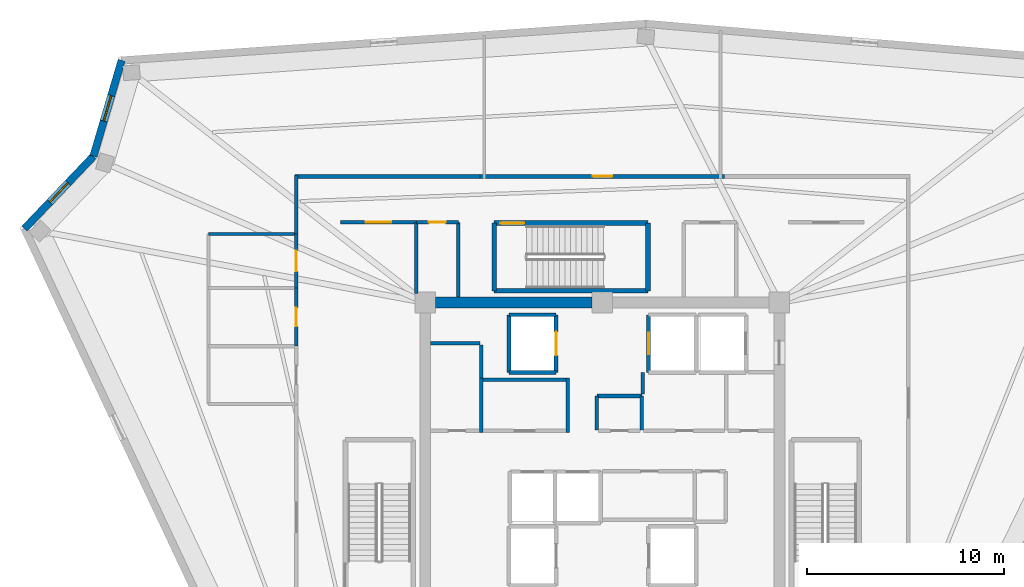
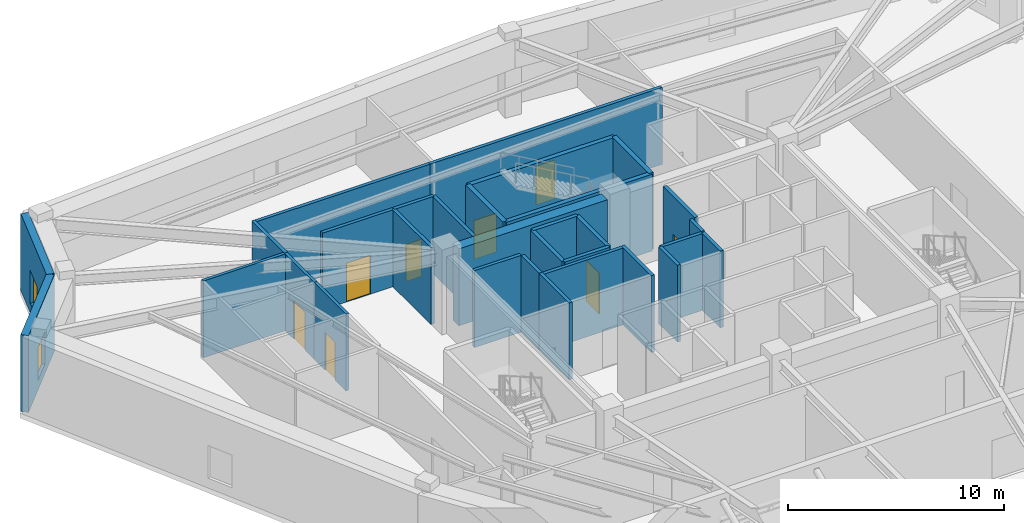
# One storey, part 6 of 12: 31 walls, 8 doors, 2 windows, 10 openings.
"""IFC4 building model written with IfcOpenShell, lengths in metres."""

import ifcopenshell
import ifcopenshell.guid

model = None  # the IFC model being written
_history = None  # IfcOwnerHistory: only IFC2X3 demands one
_inside = {}  # id of a spatial element -> (the spatial element, [elements in it])
_under = {}  # id of a project, library or spatial element -> (it, [spatial elements below it])
_declared = {}  # id of a project -> (the project, [libraries it declares])
_typed = {}  # id of a type object -> (the type object, [elements of that type])
_made_of = {}  # id of a material, layer set ... -> (it, [elements and type objects made of it])


def new_model(schema):
    """Start an empty IFC model of exactly this schema.

    Asked for "IFC4X3", IfcOpenShell would pick the latest addendum, in which some entities
    have other attributes; the version numbers below select the first issue.
    IFC2X3 requires an IfcOwnerHistory on every rooted entity: one is made here for all.
    """
    global model, _history
    if schema == "IFC4X3":
        model = ifcopenshell.file(schema_version=(4, 3, 0, 0))
    else:
        model = ifcopenshell.file(schema=schema)
    _inside.clear()
    _under.clear()
    _declared.clear()
    _typed.clear()
    _made_of.clear()
    _history = None
    if model.schema == "IFC2X3":
        org = make("IfcOrganization", Name="unknown")
        user = make(
            "IfcPersonAndOrganization",
            ThePerson=make("IfcPerson", FamilyName="unknown"),
            TheOrganization=org,
        )
        app = make(
            "IfcApplication",
            ApplicationDeveloper=org,
            Version="unknown",
            ApplicationFullName="unknown",
            ApplicationIdentifier="unknown",
        )
        _history = make(
            "IfcOwnerHistory",
            OwningUser=user,
            OwningApplication=app,
            ChangeAction="ADDED",
            CreationDate=0,
        )
    return model


def make(cls, **values):
    """One entity of the class cls with the attributes given. An attribute that is None is left unset."""
    return model.create_entity(
        cls, **{name: value for name, value in values.items() if value is not None}
    )


def rooted(cls, **values):
    """An entity with a GlobalId (a new one), such as an element, a storey or a relation."""
    return make(cls, GlobalId=ifcopenshell.guid.new(), OwnerHistory=_history, **values)


def si_unit(unit_type, name, prefix=None):
    """IfcSIUnit, for example si_unit("LENGTHUNIT", "METRE", prefix="MILLI")."""
    return make("IfcSIUnit", UnitType=unit_type, Prefix=prefix, Name=name)


def assignment(units):
    """IfcUnitAssignment: the units of a project."""
    return None if units is None else make("IfcUnitAssignment", Units=units)


def point(xyz):
    """IfcCartesianPoint."""
    return None if xyz is None else make("IfcCartesianPoint", Coordinates=xyz)


def direction(xyz):
    """IfcDirection."""
    return None if xyz is None else make("IfcDirection", DirectionRatios=xyz)


def frame(location, z_axis=None, x_axis=None):
    """IfcAxis2Placement3D, a coordinate frame: its origin and axes. An axis left out is left unset."""
    return make(
        "IfcAxis2Placement3D",
        Location=point(location),
        Axis=direction(z_axis),
        RefDirection=direction(x_axis),
    )


def frame_2d(location, x_axis=None):
    """IfcAxis2Placement2D, a coordinate frame in the plane: its origin and x axis."""
    return make(
        "IfcAxis2Placement2D", Location=point(location), RefDirection=direction(x_axis)
    )


def origin():
    """The frame at (0, 0, 0) with its axes left unset."""
    return frame((0.0, 0.0, 0.0))


def place(relative_to, where):
    """IfcLocalPlacement: puts the frame where relative to a parent placement (None: the world)."""
    return make(
        "IfcLocalPlacement", PlacementRelTo=relative_to, RelativePlacement=where
    )


def context(
    kind, dimensions, precision=None, world=None, true_north=None, identifier=None
):
    """IfcGeometricRepresentationContext, for example the 3D "Model" context."""
    return make(
        "IfcGeometricRepresentationContext",
        ContextIdentifier=identifier,
        ContextType=kind,
        CoordinateSpaceDimension=dimensions,
        Precision=precision,
        WorldCoordinateSystem=world,
        TrueNorth=true_north,
    )


def subcontext(parent, identifier, kind, view, scale=None):
    """IfcGeometricRepresentationSubContext, for example "Body" below "Model"."""
    return make(
        "IfcGeometricRepresentationSubContext",
        ContextIdentifier=identifier,
        ContextType=kind,
        ParentContext=parent,
        TargetScale=scale,
        TargetView=view,
    )


def project(units=None, contexts=None):
    """IfcProject with its units and contexts."""
    return rooted(
        "IfcProject",
        Name="project",
        RepresentationContexts=contexts,
        UnitsInContext=assignment(units),
    )


def spatial(cls, under=None, at=None, **own):
    """A site, building, storey or space (cls), placed at a placement, below another one or the project."""
    s = rooted(cls, ObjectPlacement=at, **own)
    if under is not None:
        _under.setdefault(under.id(), (under, []))[1].append(s)
    return s


def profile(cls, at=None, kind="AREA", **sizes):
    """A parametric profile (cls). Its sizes go by their IFC names, for example OverallWidth=200.0."""
    return make(cls, ProfileType=kind, Position=at, **sizes)


def rectangle(**sizes):
    """IfcRectangleProfileDef."""
    return profile("IfcRectangleProfileDef", **sizes)


def extrude(swept, where, along, depth):
    """IfcExtrudedAreaSolid: the profile swept, set in the frame where, extruded along a direction by depth."""
    return make(
        "IfcExtrudedAreaSolid",
        SweptArea=swept,
        Position=where,
        ExtrudedDirection=direction(along),
        Depth=depth,
    )


def shape(context_of_items, identifier, shape_type, items):
    """IfcShapeRepresentation: the items that make up one representation, for example the "Body"."""
    return make(
        "IfcShapeRepresentation",
        ContextOfItems=context_of_items,
        RepresentationIdentifier=identifier,
        RepresentationType=shape_type,
        Items=items,
    )


def source(mapping_origin, context_of_items, identifier, shape_type, items):
    """IfcRepresentationMap: a shape defined once, which mapped items show again and again."""
    return make(
        "IfcRepresentationMap",
        MappingOrigin=mapping_origin,
        MappedRepresentation=shape(context_of_items, identifier, shape_type, items),
    )


def transform(
    local_origin,
    x_axis=None,
    y_axis=None,
    z_axis=None,
    scale=None,
    scale2=None,
    scale3=None,
    uniform=True,
):
    """IfcCartesianTransformationOperator3D, or its non-uniform kind. x_axis, y_axis, z_axis: its Axis1, 2, 3."""
    if uniform:
        return make(
            "IfcCartesianTransformationOperator3D",
            Axis1=direction(x_axis),
            Axis2=direction(y_axis),
            LocalOrigin=point(local_origin),
            Scale=scale,
            Axis3=direction(z_axis),
        )
    return make(
        "IfcCartesianTransformationOperator3DnonUniform",
        Axis1=direction(x_axis),
        Axis2=direction(y_axis),
        LocalOrigin=point(local_origin),
        Scale=scale,
        Axis3=direction(z_axis),
        Scale2=scale2,
        Scale3=scale3,
    )


def mapped(mapping_source, mapping_target):
    """IfcMappedItem: shows the shape of a source again, moved by a transform."""
    return make(
        "IfcMappedItem", MappingSource=mapping_source, MappingTarget=mapping_target
    )


def material(Name=None, Category=None):
    """IfcMaterial."""
    return make("IfcMaterial", Name=Name, Category=Category)


def layer(
    of_material, thickness, ventilated=None, Name=None, Category=None, Priority=None
):
    """IfcMaterialLayer: one layer of a wall or slab, of a material (None: an air gap)."""
    return make(
        "IfcMaterialLayer",
        Material=of_material,
        LayerThickness=thickness,
        IsVentilated=ventilated,
        Name=Name,
        Category=Category,
        Priority=Priority,
    )


def layer_set(layers, Name=None):
    """IfcMaterialLayerSet."""
    return make("IfcMaterialLayerSet", MaterialLayers=layers, LayerSetName=Name)


def made_of(thing, what):
    """Note that an element or type object is made of a material, layer set ...; save() writes the relation."""
    if what is not None:
        _made_of.setdefault(what.id(), (what, []))[1].append(thing)
    return thing


def type_object(cls, material=None, **own):
    """A type object (cls), such as IfcWallType, which elements share."""
    return made_of(rooted(cls, **own), material)


def element(
    cls,
    number,
    at=None,
    inside=None,
    cuts=None,
    type_object=None,
    material=None,
    context=None,
    identifier="Body",
    shape_type=None,
    held_by="IfcProductDefinitionShape",
    body=None,
    shapes=None,
    **own,
):
    """One element of the class cls, such as IfcWall. Its Tag is "e" and its number.

    at: its placement. inside: the storey or other place that contains it. cuts: it is an
    opening in that element (IfcRelVoidsElement). A single representation is given by context,
    identifier, shape_type and body (its items); several are given by shapes. held_by: the class
    of the entity that holds the representations. save() writes the other relations.
    """
    e = rooted(cls, Tag="e%d" % number, ObjectPlacement=at, **own)
    if body is not None:
        shapes = [shape(context, identifier, shape_type, body)]
    if shapes is not None:
        e.Representation = make(held_by, Representations=shapes)
    if inside is not None:
        _inside.setdefault(inside.id(), (inside, []))[1].append(e)
    if cuts is not None:
        rooted(
            "IfcRelVoidsElement", RelatingBuildingElement=cuts, RelatedOpeningElement=e
        )
    if type_object is not None:
        _typed.setdefault(type_object.id(), (type_object, []))[1].append(e)
    return made_of(e, material)


def fill(opening, filler):
    """IfcRelFillsElement: the door or window that sits in an opening."""
    return rooted(
        "IfcRelFillsElement",
        RelatingOpeningElement=opening,
        RelatedBuildingElement=filler,
    )


def aggregate(whole, parts):
    """IfcRelAggregates: a whole, such as a stair, and the parts it consists of."""
    return rooted("IfcRelAggregates", RelatingObject=whole, RelatedObjects=parts)


def save(model, path):
    """Write the relations noted so far, then the file.

    IfcRelAggregates (storeys below a building ...), IfcRelContainedInSpatialStructure (elements
    in a storey), IfcRelDefinesByType, IfcRelAssociatesMaterial and IfcRelDeclares: one each for
    every whole, place, type object, material and project.
    """
    for whole, parts in _under.values():
        aggregate(whole, parts)
    for where, things in _inside.values():
        rooted(
            "IfcRelContainedInSpatialStructure",
            RelatedElements=things,
            RelatingStructure=where,
        )
    for kind, things in _typed.values():
        rooted("IfcRelDefinesByType", RelatedObjects=things, RelatingType=kind)
    for what, things in _made_of.values():
        rooted("IfcRelAssociatesMaterial", RelatedObjects=things, RelatingMaterial=what)
    for by, libraries in _declared.values():
        rooted("IfcRelDeclares", RelatingContext=by, RelatedDefinitions=libraries)
    model.write(path)


model = new_model("IFC4")

# Units and contexts
model_context = context("Model", 3, precision=1e-05, world=origin(), true_north=direction((0.0, 1.0)))
body_context = subcontext(model_context, "Body", "Model", "MODEL_VIEW")
ifc_project = project(units=[si_unit("LENGTHUNIT", "METRE"), si_unit("AREAUNIT", "SQUARE_METRE"), si_unit("VOLUMEUNIT", "CUBIC_METRE"), si_unit("PLANEANGLEUNIT", "RADIAN"), si_unit("MASSUNIT", "GRAM", prefix="KILO")], contexts=[model_context])

# Site, building, storey
site_placement = place(None, origin())
site = spatial("IfcSite", under=ifc_project, at=site_placement, CompositionType="ELEMENT")
building_placement = place(site_placement, origin())
building = spatial("IfcBuilding", under=site, at=building_placement, Name="Liaohun Quay Tower", CompositionType="ELEMENT")
storey_placement = place(building_placement, frame((0.0, 0.0, 355.800048828125)))
storey = spatial("IfcBuildingStorey", under=building, at=storey_placement, Name="L92", CompositionType="ELEMENT", Elevation=355.800048828125)

# Wall
ifc_material_1 = material(Name="Concrete C50", Category="concrete")
ifc_layer_1 = layer(ifc_material_1, 0.550048828125, Name="Concrete C50", Category="concrete")
ifc_layer_set_1 = layer_set([ifc_layer_1], Name="Concrete C50")
wall_type_1 = type_object("IfcWallType", Name="WAL-COR-Z4", PredefinedType="SHEAR", material=ifc_layer_set_1)
wall_1_placement = place(storey_placement, frame((51.52490234375, 61.5, 0.0), z_axis=(0.0, 0.0, 1.0), x_axis=(1.0, 0.0, 0.0)))
element("IfcWall", 1, at=wall_1_placement, inside=storey, type_object=wall_type_1, Name="L92 Central Core Shear Wall N-W", PredefinedType="SHEAR", context=body_context, shape_type="SweptSolid", body=[
    extrude(rectangle(XDim=7.9501953125, YDim=0.550048828125, at=frame_2d((3.97509765625, 0.0))), origin(), (0.0, 0.0, 1.0), 4.349853515625),
])

# Wall, opening, window
ifc_material_2 = material(Name="Precast concrete C50 insulated sandwich", Category="concrete")
ifc_layer_2 = layer(ifc_material_2, 0.3798828125, Name="Precast concrete C50 insulated sandwich", Category="concrete")
ifc_layer_set_2 = layer_set([ifc_layer_2], Name="Precast concrete C50 insulated sandwich")
wall_type_2 = type_object("IfcWallType", Name="WAL-EXT-Z34", PredefinedType="SOLIDWALL", material=ifc_layer_set_2)
wall_2_placement = place(storey_placement, frame((35.56005859375, 73.81201171875, 0.0), z_axis=(0.0, 0.0, 1.0), x_axis=(-0.282671036061, -0.959216912576, 0.0)))
wall_2 = element("IfcWall", 2, at=wall_2_placement, inside=storey, type_object=wall_type_2, Name="L92 Sky Belvedere Exterior Wall 07", PredefinedType="SOLIDWALL", context=body_context, shape_type="SweptSolid", body=[
    extrude(rectangle(XDim=5.080322265625, YDim=0.3798828125, at=frame_2d((2.5400390625, 0.0))), origin(), (0.0, 0.0, 1.0), 4.349853515625),
])
shared_shape_1 = source(origin(), body_context, "Body", "SweptSolid", [
    extrude(rectangle(XDim=1.35009765625, YDim=1.85009765625, at=frame_2d((0.675048828125, 0.925048828125))), frame((0.0, 0.199951171875, 0.0), z_axis=(0.0, -1.0, 0.0), x_axis=(1.0, 0.0, 0.0)), (0.0, 0.0, 1.0), 0.39990234375),
])
opening_1_placement = place(wall_2_placement, frame((1.864990234375, 0.0, 0.550048828125)))
opening_1 = element("IfcOpeningElement", 3, at=opening_1_placement, cuts=wall_2, Name="Opening W04", PredefinedType="OPENING", context=body_context, shape_type="MappedRepresentation", body=[
    mapped(shared_shape_1, transform((0.0, 0.0, 0.0), x_axis=(1.0, 0.0, 0.0), y_axis=(0.0, 1.0, 0.0), z_axis=(0.0, 0.0, 1.0), scale=1.0)),
])
ifc_material_3 = material(Name="Triple Low-E argon glazing in thermally broken aluminium", Category="aluminium")
window_type = type_object("IfcWindowType", Name="WIN-PUN-Z4", PartitioningType="SINGLE_PANEL", PredefinedType="WINDOW", material=ifc_material_3)
shared_shape_2 = source(origin(), body_context, "Body", "SweptSolid", [
    extrude(rectangle(XDim=1.35009765625, YDim=1.85009765625, at=frame_2d((0.675048828125, 0.925048828125))), frame((0.0, 0.030029296875, 0.0), z_axis=(0.0, -1.0, 0.0), x_axis=(1.0, 0.0, 0.0)), (0.0, 0.0, 1.0), 0.06005859375),
])
window_1_placement = place(opening_1_placement, origin())
window_1 = element("IfcWindow", 4, at=window_1_placement, inside=storey, type_object=window_type, Name="L92 Observatory Window W04-07", OverallHeight=1.85009765625, OverallWidth=1.35009765625, PartitioningType="SINGLE_PANEL", PredefinedType="WINDOW", context=body_context, shape_type="MappedRepresentation", body=[
    mapped(shared_shape_2, transform((0.0, 0.0, 0.0), x_axis=(1.0, 0.0, 0.0), y_axis=(0.0, 1.0, 0.0), z_axis=(0.0, 0.0, 1.0), scale=1.0)),
])
fill(opening_1, window_1)

wall_3_placement = place(storey_placement, frame((34.1240234375, 68.93896484375, 0.0), z_axis=(0.0, 0.0, 1.0), x_axis=(-0.689376780862, -0.724402963832, 0.0)))
wall_3 = element("IfcWall", 5, at=wall_3_placement, inside=storey, type_object=wall_type_2, Name="L92 Sky Belvedere Exterior Wall 08", PredefinedType="SOLIDWALL", context=body_context, shape_type="SweptSolid", body=[
    extrude(rectangle(XDim=5.081298828125, YDim=0.3798828125, at=frame_2d((2.54052734375, 0.0))), origin(), (0.0, 0.0, 1.0), 4.349853515625),
])
opening_2_placement = place(wall_3_placement, frame((1.865966796875, 0.0, 0.550048828125)))
opening_2 = element("IfcOpeningElement", 6, at=opening_2_placement, cuts=wall_3, Name="Opening W04", PredefinedType="OPENING", context=body_context, shape_type="MappedRepresentation", body=[
    mapped(shared_shape_1, transform((0.0, 0.0, 0.0), x_axis=(1.0, 0.0, 0.0), y_axis=(0.0, 1.0, 0.0), z_axis=(0.0, 0.0, 1.0), scale=1.0)),
])
window_2_placement = place(opening_2_placement, origin())
window_2 = element("IfcWindow", 7, at=window_2_placement, inside=storey, type_object=window_type, Name="L92 Observatory Window W04-08", OverallHeight=1.85009765625, OverallWidth=1.35009765625, PartitioningType="SINGLE_PANEL", PredefinedType="WINDOW", context=body_context, shape_type="MappedRepresentation", body=[
    mapped(shared_shape_2, transform((0.0, 0.0, 0.0), x_axis=(1.0, 0.0, 0.0), y_axis=(0.0, 1.0, 0.0), z_axis=(0.0, 0.0, 1.0), scale=1.0)),
])
fill(opening_2, window_2)

# Wall, opening, door
ifc_material_4 = material(Name="Autoclaved aerated concrete blockwork", Category="masonry")
ifc_layer_3 = layer(ifc_material_4, 0.179931640625, Name="Autoclaved aerated concrete blockwork", Category="masonry")
ifc_layer_set_3 = layer_set([ifc_layer_3], Name="Autoclaved aerated concrete blockwork")
wall_type_3 = type_object("IfcWallType", Name="WAL-PRT-COR", PredefinedType="PARTITIONING", material=ifc_layer_set_3)
wall_4_placement = place(storey_placement, frame((50.5400390625, 65.580078125, 0.0), z_axis=(0.0, 0.0, 1.0), x_axis=(1.0, 0.0, 0.0)))
wall_4 = element("IfcWall", 8, at=wall_4_placement, inside=storey, type_object=wall_type_3, Name="L92 Interior Partition Wall 011", PredefinedType="PARTITIONING", context=body_context, shape_type="SweptSolid", body=[
    extrude(rectangle(XDim=2.139892578125, YDim=0.179931640625, at=frame_2d((1.06982421875, 0.0))), origin(), (0.0, 0.0, 1.0), 4.349853515625),
])
shared_shape_3 = source(origin(), body_context, "Body", "SweptSolid", [
    extrude(rectangle(XDim=0.85009765625, YDim=2.10009765625, at=frame_2d((0.425048828125, 1.050048828125))), frame((0.0, 0.099853515625, 0.0), z_axis=(0.0, -1.0, 0.0), x_axis=(1.0, 0.0, 0.0)), (0.0, 0.0, 1.0), 0.199951171875),
])
opening_3_placement = place(wall_4_placement, frame((0.64501953125, 0.0, 0.0)))
opening_3 = element("IfcOpeningElement", 9, at=opening_3_placement, cuts=wall_4, Name="Opening AD1", PredefinedType="OPENING", context=body_context, shape_type="MappedRepresentation", body=[
    mapped(shared_shape_3, transform((0.0, 0.0, 0.0), x_axis=(1.0, 0.0, 0.0), y_axis=(0.0, 1.0, 0.0), z_axis=(0.0, 0.0, 1.0), scale=1.0)),
])
ifc_material_5 = material(Name="Steel riser inspection fire door", Category="steel")
door_type_1 = type_object("IfcDoorType", Name="DOR-SHF-850", OperationType="NOTDEFINED", PredefinedType="DOOR", material=ifc_material_5)
shared_shape_4 = source(origin(), body_context, "Body", "SweptSolid", [
    extrude(rectangle(XDim=0.85009765625, YDim=2.10009765625, at=frame_2d((0.425048828125, 1.050048828125))), frame((0.0, 0.02490234375, 0.0), z_axis=(0.0, -1.0, 0.0), x_axis=(1.0, 0.0, 0.0)), (0.0, 0.0, 1.0), 0.050048828125),
])
door_1_placement = place(opening_3_placement, origin())
door_1 = element("IfcDoor", 10, at=door_1_placement, inside=storey, type_object=door_type_1, Name="L92 North-West Supply Store Door", OperationType="SINGLE_SWING_LEFT", OverallHeight=2.10009765625, OverallWidth=0.85009765625, PredefinedType="DOOR", context=body_context, shape_type="MappedRepresentation", body=[
    mapped(shared_shape_4, transform((0.0, 0.0, 0.0), x_axis=(1.0, 0.0, 0.0), y_axis=(0.0, 1.0, 0.0), z_axis=(0.0, 0.0, 1.0), scale=1.0)),
])
fill(opening_3, door_1)

wall_5_placement = place(storey_placement, frame((46.699951171875, 65.580078125, 0.0), z_axis=(0.0, 0.0, 1.0), x_axis=(1.0, 0.0, 0.0)))
wall_5 = element("IfcWall", 11, at=wall_5_placement, inside=storey, type_object=wall_type_3, Name="L92 Interior Partition Wall 013", PredefinedType="PARTITIONING", context=body_context, shape_type="SweptSolid", body=[
    extrude(rectangle(XDim=3.840087890625, YDim=0.179931640625, at=frame_2d((1.919921875, 0.0))), origin(), (0.0, 0.0, 1.0), 4.349853515625),
])
shared_shape_5 = source(origin(), body_context, "Body", "SweptSolid", [
    extrude(rectangle(XDim=1.300048828125, YDim=2.199951171875, at=frame_2d((0.64990234375, 1.10009765625))), frame((0.0, 0.099853515625, 0.0), z_axis=(0.0, -1.0, 0.0), x_axis=(1.0, 0.0, 0.0)), (0.0, 0.0, 1.0), 0.199951171875),
])
opening_4_placement = place(wall_5_placement, frame((1.27001953125, 0.0, 0.0)))
opening_4 = element("IfcOpeningElement", 12, at=opening_4_placement, cuts=wall_5, Name="Opening FD1", PredefinedType="OPENING", context=body_context, shape_type="MappedRepresentation", body=[
    mapped(shared_shape_5, transform((0.0, 0.0, 0.0), x_axis=(1.0, 0.0, 0.0), y_axis=(0.0, 1.0, 0.0), z_axis=(0.0, 0.0, 1.0), scale=1.0)),
])
ifc_material_6 = material(Name="Galvanised steel smokeproof fire door", Category="steel")
door_type_2 = type_object("IfcDoorType", Name="DOR-FFL-1300", OperationType="NOTDEFINED", PredefinedType="DOOR", material=ifc_material_6)
shared_shape_6 = source(origin(), body_context, "Body", "SweptSolid", [
    extrude(rectangle(XDim=1.300048828125, YDim=2.199951171875, at=frame_2d((0.64990234375, 1.10009765625))), frame((0.0, 0.02490234375, 0.0), z_axis=(0.0, -1.0, 0.0), x_axis=(1.0, 0.0, 0.0)), (0.0, 0.0, 1.0), 0.050048828125),
])
door_2_placement = place(opening_4_placement, origin())
door_2 = element("IfcDoor", 13, at=door_2_placement, inside=storey, type_object=door_type_2, Name="L92 West Core Vestibule Door", OperationType="SINGLE_SWING_LEFT", OverallHeight=2.199951171875, OverallWidth=1.300048828125, PredefinedType="DOOR", context=body_context, shape_type="MappedRepresentation", body=[
    mapped(shared_shape_6, transform((0.0, 0.0, 0.0), x_axis=(1.0, 0.0, 0.0), y_axis=(0.0, 1.0, 0.0), z_axis=(0.0, 0.0, 1.0), scale=1.0)),
])
fill(opening_4, door_2)

wall_6_placement = place(storey_placement, frame((53.784912109375, 67.909912109375, 0.0), z_axis=(0.0, 0.0, 1.0), x_axis=(1.0, 0.0, 0.0)))
wall_6 = element("IfcWall", 14, at=wall_6_placement, inside=storey, type_object=wall_type_3, Name="L92 Interior Partition Wall 016", PredefinedType="PARTITIONING", context=body_context, shape_type="SweptSolid", body=[
    extrude(rectangle(XDim=12.43017578125, YDim=0.179931640625, at=frame_2d((6.215087890625, 0.0))), origin(), (0.0, 0.0, 1.0), 4.349853515625),
])
shared_shape_7 = source(origin(), body_context, "Body", "SweptSolid", [
    extrude(rectangle(XDim=1.0, YDim=2.199951171875, at=frame_2d((0.5, 1.10009765625))), frame((0.0, 0.099853515625, 0.0), z_axis=(0.0, -1.0, 0.0), x_axis=(1.0, 0.0, 0.0)), (0.0, 0.0, 1.0), 0.199951171875),
])
opening_5_placement = place(wall_6_placement, frame((5.715087890625, 0.0, 0.0)))
opening_5 = element("IfcOpeningElement", 15, at=opening_5_placement, cuts=wall_6, Name="Opening OD1", PredefinedType="OPENING", context=body_context, shape_type="MappedRepresentation", body=[
    mapped(shared_shape_7, transform((0.0, 0.0, 0.0), x_axis=(1.0, 0.0, 0.0), y_axis=(0.0, 1.0, 0.0), z_axis=(0.0, 0.0, 1.0), scale=1.0)),
])
ifc_material_7 = material(Name="Solid-core oak veneer timber leaf in steel frame", Category="steel")
door_type_3 = type_object("IfcDoorType", Name="DOR-OFF-1000", OperationType="NOTDEFINED", PredefinedType="DOOR", material=ifc_material_7)
shared_shape_8 = source(origin(), body_context, "Body", "SweptSolid", [
    extrude(rectangle(XDim=1.0, YDim=2.199951171875, at=frame_2d((0.5, 1.10009765625))), frame((0.0, 0.02490234375, 0.0), z_axis=(0.0, -1.0, 0.0), x_axis=(1.0, 0.0, 0.0)), (0.0, 0.0, 1.0), 0.050048828125),
])
door_3_placement = place(opening_5_placement, origin())
door_3 = element("IfcDoor", 16, at=door_3_placement, inside=storey, type_object=door_type_3, Name="L92 Hun River History Library 02 Door", OperationType="SINGLE_SWING_RIGHT", OverallHeight=2.199951171875, OverallWidth=1.0, PredefinedType="DOOR", context=body_context, shape_type="MappedRepresentation", body=[
    mapped(shared_shape_8, transform((0.0, 0.0, 0.0), x_axis=(1.0, 0.0, 0.0), y_axis=(0.0, 1.0, 0.0), z_axis=(0.0, 0.0, 1.0), scale=1.0)),
])
fill(opening_5, door_3)

# Walls
wall_7_placement = place(storey_placement, frame((51.27490234375, 59.429931640625, 0.0), z_axis=(0.0, 0.0, 1.0), x_axis=(1.0, 0.0, 0.0)))
element("IfcWall", 17, at=wall_7_placement, inside=storey, type_object=wall_type_3, Name="L92 Interior Partition Wall 020", PredefinedType="PARTITIONING", context=body_context, shape_type="SweptSolid", body=[
    extrude(rectangle(XDim=2.505126953125, YDim=0.179931640625, at=frame_2d((1.25244140625, 0.0))), origin(), (0.0, 0.0, 1.0), 4.349853515625),
])
for number, where, z_axis, x_axis, name in (
    (18, (59.719970703125, 55.02001953125, 0.0), (0.0, 0.0, 1.0), (0.0, 1.0, 0.0), "L92 Interior Partition Wall 022"),
    (19, (62.010009765625, 55.02001953125, 0.0), (0.0, 0.0, 1.0), (0.0, 1.0, 0.0), "L92 Interior Partition Wall 023"),
):
    element("IfcWall", number, at=place(storey_placement, frame(where, z_axis=z_axis, x_axis=x_axis)), inside=storey, type_object=wall_type_3, Name=name, PredefinedType="PARTITIONING", context=body_context, shape_type="SweptSolid", body=[
        extrude(rectangle(XDim=1.72998046875, YDim=0.179931640625, at=frame_2d((0.864990234375, 0.0))), origin(), (0.0, 0.0, 1.0), 4.349853515625),
    ])
wall_8_placement = place(storey_placement, frame((59.719970703125, 56.75, 0.0), z_axis=(0.0, 0.0, 1.0), x_axis=(1.0, 0.0, 0.0)))
element("IfcWall", 20, at=wall_8_placement, inside=storey, type_object=wall_type_3, Name="L92 Interior Partition Wall 024", PredefinedType="PARTITIONING", context=body_context, shape_type="SweptSolid", body=[
    extrude(rectangle(XDim=2.2900390625, YDim=0.179931640625, at=frame_2d((1.14501953125, 0.0))), origin(), (0.0, 0.0, 1.0), 4.349853515625),
])
wall_9_placement = place(storey_placement, frame((50.5400390625, 61.949951171875, 0.0), z_axis=(0.0, 0.0, 1.0), x_axis=(0.0, 1.0, 0.0)))
element("IfcWall", 21, at=wall_9_placement, inside=storey, type_object=wall_type_3, Name="L92 Interior Partition Wall 033", PredefinedType="PARTITIONING", context=body_context, shape_type="SweptSolid", body=[
    extrude(rectangle(XDim=3.630126953125, YDim=0.179931640625, at=frame_2d((1.81494140625, 0.0))), origin(), (0.0, 0.0, 1.0), 4.349853515625),
])
wall_10_placement = place(storey_placement, frame((52.679931640625, 61.77490234375, 0.0), z_axis=(0.0, 0.0, 1.0), x_axis=(0.0, 1.0, 0.0)))
element("IfcWall", 22, at=wall_10_placement, inside=storey, type_object=wall_type_3, Name="L92 Interior Partition Wall 034", PredefinedType="PARTITIONING", context=body_context, shape_type="SweptSolid", body=[
    extrude(rectangle(XDim=3.80517578125, YDim=0.179931640625, at=frame_2d((1.902587890625, 0.0))), origin(), (0.0, 0.0, 1.0), 4.349853515625),
])
wall_11_placement = place(storey_placement, frame((44.3701171875, 67.909912109375, 0.0), z_axis=(0.0, 0.0, 1.0), x_axis=(1.0, 0.0, 0.0)))
element("IfcWall", 23, at=wall_11_placement, inside=storey, type_object=wall_type_3, Name="L92 Interior Partition Wall 038", PredefinedType="PARTITIONING", context=body_context, shape_type="SweptSolid", body=[
    extrude(rectangle(XDim=9.414794921875, YDim=0.179931640625, at=frame_2d((4.70751953125, 0.0))), origin(), (0.0, 0.0, 1.0), 4.349853515625),
])
wall_12_placement = place(storey_placement, frame((44.43994140625, 64.97998046875, 0.0), z_axis=(0.0, 0.0, 1.0), x_axis=(0.0, 1.0, 0.0)))
element("IfcWall", 24, at=wall_12_placement, inside=storey, type_object=wall_type_3, Name="L92 Interior Partition Wall 039", PredefinedType="PARTITIONING", context=body_context, shape_type="SweptSolid", body=[
    extrude(rectangle(XDim=3.0, YDim=0.179931640625, at=frame_2d((1.5, 0.0))), origin(), (0.0, 0.0, 1.0), 4.349853515625),
])
for number, where, z_axis, x_axis, name in (
    (25, (53.85009765625, 54.889892578125, 0.0), (0.0, 0.0, 1.0), (0.0, 1.0, 0.0), "L92 Interior Partition Wall 048"),
    (26, (58.25, 54.889892578125, 0.0), (0.0, 0.0, 1.0), (0.0, 1.0, 0.0), "L92 Interior Partition Wall 049"),
):
    element("IfcWall", number, at=place(storey_placement, frame(where, z_axis=z_axis, x_axis=x_axis)), inside=storey, type_object=wall_type_3, Name=name, PredefinedType="PARTITIONING", context=body_context, shape_type="SweptSolid", body=[
        extrude(rectangle(XDim=2.780029296875, YDim=0.179931640625, at=frame_2d((1.39013671875, 0.0))), origin(), (0.0, 0.0, 1.0), 4.349853515625),
    ])
wall_13_placement = place(storey_placement, frame((53.93994140625, 57.580078125, 0.0), z_axis=(0.0, 0.0, 1.0), x_axis=(1.0, 0.0, 0.0)))
element("IfcWall", 27, at=wall_13_placement, inside=storey, type_object=wall_type_3, Name="L92 Interior Partition Wall 050", PredefinedType="PARTITIONING", context=body_context, shape_type="SweptSolid", body=[
    extrude(rectangle(XDim=4.219970703125, YDim=0.179931640625, at=frame_2d((2.10986328125, 0.0))), origin(), (0.0, 0.0, 1.0), 4.349853515625),
])
wall_14_placement = place(storey_placement, frame((53.85009765625, 57.669921875, 0.0), z_axis=(0.0, 0.0, 1.0), x_axis=(0.0, 1.0, 0.0)))
element("IfcWall", 28, at=wall_14_placement, inside=storey, type_object=wall_type_3, Name="L92 Interior Partition Wall 051", PredefinedType="PARTITIONING", context=body_context, shape_type="SweptSolid", body=[
    extrude(rectangle(XDim=1.670166015625, YDim=0.179931640625, at=frame_2d((0.8349609375, 0.0))), origin(), (0.0, 0.0, 1.0), 4.349853515625),
])
wall_15_placement = place(storey_placement, frame((62.050048828125, 56.840087890625, 0.0), z_axis=(0.0, 0.0, 1.0), x_axis=(0.0, 1.0, 0.0)))
element("IfcWall", 29, at=wall_15_placement, inside=storey, type_object=wall_type_3, Name="L92 Interior Partition Wall 052", PredefinedType="PARTITIONING", context=body_context, shape_type="SweptSolid", body=[
    extrude(rectangle(XDim=1.10986328125, YDim=0.179931640625, at=frame_2d((0.554931640625, 0.0))), origin(), (0.0, 0.0, 1.0), 4.349853515625),
])

# Wall, opening, door
ifc_material_8 = material(Name="Moisture-resistant masonry blockwork", Category="masonry")
ifc_layer_4 = layer(ifc_material_8, 0.159912109375, Name="Moisture-resistant masonry blockwork", Category="masonry")
ifc_layer_set_4 = layer_set([ifc_layer_4], Name="Moisture-resistant masonry blockwork")
wall_type_4 = type_object("IfcWallType", Name="WAL-PRT-WET", PredefinedType="PARTITIONING", material=ifc_layer_set_4)
wall_16_placement = place(storey_placement, frame((44.43994140625, 59.280029296875, 0.0), z_axis=(0.0, 0.0, 1.0), x_axis=(0.0, 1.0, 0.0)))
wall_16 = element("IfcWall", 30, at=wall_16_placement, inside=storey, type_object=wall_type_4, Name="L92 Interior Partition Wall 009", PredefinedType="PARTITIONING", context=body_context, shape_type="SweptSolid", body=[
    extrude(rectangle(XDim=2.9599609375, YDim=0.159912109375, at=frame_2d((1.47998046875, 0.0))), origin(), (0.0, 0.0, 1.0), 4.349853515625),
])
shared_shape_9 = source(origin(), body_context, "Body", "SweptSolid", [
    extrude(rectangle(XDim=0.949951171875, YDim=2.14990234375, at=frame_2d((0.47509765625, 1.074951171875))), frame((0.0, 0.08984375, 0.0), z_axis=(0.0, -1.0, 0.0), x_axis=(1.0, 0.0, 0.0)), (0.0, 0.0, 1.0), 0.179931640625),
])
opening_6_placement = place(wall_16_placement, frame((1.0048828125, 0.0, 0.0)))
opening_6 = element("IfcOpeningElement", 31, at=opening_6_placement, cuts=wall_16, Name="Opening WD1", PredefinedType="OPENING", context=body_context, shape_type="MappedRepresentation", body=[
    mapped(shared_shape_9, transform((0.0, 0.0, 0.0), x_axis=(1.0, 0.0, 0.0), y_axis=(0.0, 1.0, 0.0), z_axis=(0.0, 0.0, 1.0), scale=1.0)),
])
ifc_material_9 = material(Name="Moisture-resistant laminate timber leaf", Category="wood")
door_type_4 = type_object("IfcDoorType", Name="DOR-WC-950", OperationType="NOTDEFINED", PredefinedType="DOOR", material=ifc_material_9)
shared_shape_10 = source(origin(), body_context, "Body", "SweptSolid", [
    extrude(rectangle(XDim=0.949951171875, YDim=2.14990234375, at=frame_2d((0.47509765625, 1.074951171875))), frame((0.0, 0.02490234375, 0.0), z_axis=(0.0, -1.0, 0.0), x_axis=(1.0, 0.0, 0.0)), (0.0, 0.0, 1.0), 0.050048828125),
])
door_4_placement = place(opening_6_placement, origin())
door_4 = element("IfcDoor", 32, at=door_4_placement, inside=storey, type_object=door_type_4, Name="L92 Female Restroom WC Door", OperationType="SINGLE_SWING_LEFT", OverallHeight=2.14990234375, OverallWidth=0.949951171875, PredefinedType="DOOR", context=body_context, shape_type="MappedRepresentation", body=[
    mapped(shared_shape_10, transform((0.0, 0.0, 0.0), x_axis=(1.0, 0.0, 0.0), y_axis=(0.0, 1.0, 0.0), z_axis=(0.0, 0.0, 1.0), scale=1.0)),
])
fill(opening_6, door_4)

wall_17_placement = place(storey_placement, frame((44.43994140625, 62.239990234375, 0.0), z_axis=(0.0, 0.0, 1.0), x_axis=(0.0, 1.0, 0.0)))
wall_17 = element("IfcWall", 33, at=wall_17_placement, inside=storey, type_object=wall_type_4, Name="L92 Interior Partition Wall 010", PredefinedType="PARTITIONING", context=body_context, shape_type="SweptSolid", body=[
    extrude(rectangle(XDim=2.739990234375, YDim=0.159912109375, at=frame_2d((1.3701171875, 0.0))), origin(), (0.0, 0.0, 1.0), 4.349853515625),
])
shared_shape_11 = source(origin(), body_context, "Body", "SweptSolid", [
    extrude(rectangle(XDim=1.050048828125, YDim=2.14990234375, at=frame_2d((0.52490234375, 1.074951171875))), frame((0.0, 0.08984375, 0.0), z_axis=(0.0, -1.0, 0.0), x_axis=(1.0, 0.0, 0.0)), (0.0, 0.0, 1.0), 0.179931640625),
])
opening_7_placement = place(wall_17_placement, frame((0.844970703125, 0.0, 0.0)))
opening_7 = element("IfcOpeningElement", 34, at=opening_7_placement, cuts=wall_17, Name="Opening WD2", PredefinedType="OPENING", context=body_context, shape_type="MappedRepresentation", body=[
    mapped(shared_shape_11, transform((0.0, 0.0, 0.0), x_axis=(1.0, 0.0, 0.0), y_axis=(0.0, 1.0, 0.0), z_axis=(0.0, 0.0, 1.0), scale=1.0)),
])
ifc_material_10 = material(Name="Accessible outward-swinging laminate door")
door_type_5 = type_object("IfcDoorType", Name="DOR-AWC-1050", OperationType="NOTDEFINED", PredefinedType="DOOR", material=ifc_material_10)
shared_shape_12 = source(origin(), body_context, "Body", "SweptSolid", [
    extrude(rectangle(XDim=1.050048828125, YDim=2.14990234375, at=frame_2d((0.52490234375, 1.074951171875))), frame((0.0, 0.02490234375, 0.0), z_axis=(0.0, -1.0, 0.0), x_axis=(1.0, 0.0, 0.0)), (0.0, 0.0, 1.0), 0.050048828125),
])
door_5_placement = place(opening_7_placement, origin())
door_5 = element("IfcDoor", 35, at=door_5_placement, inside=storey, type_object=door_type_5, Name="L92 Accessible WC Door", OperationType="SINGLE_SWING_RIGHT", OverallHeight=2.14990234375, OverallWidth=1.050048828125, PredefinedType="DOOR", context=body_context, shape_type="MappedRepresentation", body=[
    mapped(shared_shape_12, transform((0.0, 0.0, 0.0), x_axis=(1.0, 0.0, 0.0), y_axis=(0.0, 1.0, 0.0), z_axis=(0.0, 0.0, 1.0), scale=1.0)),
])
fill(opening_7, door_5)

# Walls
wall_18_placement = place(storey_placement, frame((39.97998046875, 64.97998046875, 0.0), z_axis=(0.0, 0.0, 1.0), x_axis=(1.0, 0.0, 0.0)))
element("IfcWall", 36, at=wall_18_placement, inside=storey, type_object=wall_type_4, Name="L92 Interior Partition Wall 032", PredefinedType="PARTITIONING", context=body_context, shape_type="SweptSolid", body=[
    extrude(rectangle(XDim=4.4599609375, YDim=0.159912109375, at=frame_2d((2.22998046875, 0.0))), origin(), (0.0, 0.0, 1.0), 4.349853515625),
])
ifc_layer_5 = layer(ifc_material_1, 0.239990234375, Name="Concrete C50", Category="concrete")
ifc_layer_set_5 = layer_set([ifc_layer_5], Name="Concrete C50")
wall_type_5 = type_object("IfcWallType", Name="WAL-SHF-200", PredefinedType="SOLIDWALL", material=ifc_layer_set_5)
wall_19_placement = place(storey_placement, frame((54.5, 62.10009765625, 0.0), z_axis=(0.0, 0.0, 1.0), x_axis=(1.0, 0.0, 0.0)))
element("IfcWall", 37, at=wall_19_placement, inside=storey, type_object=wall_type_5, Name="L92 Stairwell ST-3 Structural Core Wall S", PredefinedType="SOLIDWALL", context=body_context, shape_type="SweptSolid", body=[
    extrude(rectangle(XDim=7.820068359375, YDim=0.239990234375, at=frame_2d((3.91015625, 0.0))), origin(), (0.0, 0.0, 1.0), 4.349853515625),
])
wall_20_placement = place(storey_placement, frame((62.320068359375, 62.10009765625, 0.0), z_axis=(0.0, 0.0, 1.0), x_axis=(0.0, 1.0, 0.0)))
element("IfcWall", 38, at=wall_20_placement, inside=storey, type_object=wall_type_5, Name="L92 Stairwell ST-3 Structural Core Wall E", PredefinedType="SOLIDWALL", context=body_context, shape_type="SweptSolid", body=[
    extrude(rectangle(XDim=3.43994140625, YDim=0.239990234375, at=frame_2d((1.719970703125, 0.0))), origin(), (0.0, 0.0, 1.0), 4.349853515625),
])

# Wall, opening, door
wall_21_placement = place(storey_placement, frame((62.320068359375, 65.5400390625, 0.0), z_axis=(0.0, 0.0, 1.0), x_axis=(-1.0, 0.0, 0.0)))
wall_21 = element("IfcWall", 39, at=wall_21_placement, inside=storey, type_object=wall_type_5, Name="L92 Stairwell ST-3 Structural Core Wall N", PredefinedType="SOLIDWALL", context=body_context, shape_type="SweptSolid", body=[
    extrude(rectangle(XDim=7.820068359375, YDim=0.239990234375, at=frame_2d((3.91015625, 0.0))), origin(), (0.0, 0.0, 1.0), 4.349853515625),
])
shared_shape_13 = source(origin(), body_context, "Body", "SweptSolid", [
    extrude(rectangle(XDim=1.199951171875, YDim=2.199951171875, at=frame_2d((0.60009765625, 1.10009765625))), frame((0.0, 0.1298828125, 0.0), z_axis=(0.0, -1.0, 0.0), x_axis=(1.0, 0.0, 0.0)), (0.0, 0.0, 1.0), 0.260009765625),
])
opening_8_placement = place(wall_21_placement, frame((6.300048828125, 0.0, 0.0)))
opening_8 = element("IfcOpeningElement", 40, at=opening_8_placement, cuts=wall_21, Name="Opening SD1", PredefinedType="OPENING", context=body_context, shape_type="MappedRepresentation", body=[
    mapped(shared_shape_13, transform((0.0, 0.0, 0.0), x_axis=(1.0, 0.0, 0.0), y_axis=(0.0, 1.0, 0.0), z_axis=(0.0, 0.0, 1.0), scale=1.0)),
])
ifc_material_11 = material(Name="Galvanised steel fire door", Category="steel")
door_type_6 = type_object("IfcDoorType", Name="DOR-STR-1200", OperationType="NOTDEFINED", PredefinedType="DOOR", material=ifc_material_11)
shared_shape_14 = source(origin(), body_context, "Body", "SweptSolid", [
    extrude(rectangle(XDim=1.199951171875, YDim=2.199951171875, at=frame_2d((0.60009765625, 1.10009765625))), frame((0.0, 0.02490234375, 0.0), z_axis=(0.0, -1.0, 0.0), x_axis=(1.0, 0.0, 0.0)), (0.0, 0.0, 1.0), 0.050048828125),
])
door_6_placement = place(opening_8_placement, origin())
door_6 = element("IfcDoor", 41, at=door_6_placement, inside=storey, type_object=door_type_6, Name="L92 Protected Stair ST-3 Fire Door", OperationType="SINGLE_SWING_RIGHT", OverallHeight=2.199951171875, OverallWidth=1.199951171875, PredefinedType="DOOR", context=body_context, shape_type="MappedRepresentation", body=[
    mapped(shared_shape_14, transform((0.0, 0.0, 0.0), x_axis=(1.0, 0.0, 0.0), y_axis=(0.0, 1.0, 0.0), z_axis=(0.0, 0.0, 1.0), scale=1.0)),
])
fill(opening_8, door_6)

# Walls
wall_22_placement = place(storey_placement, frame((54.5, 65.5400390625, 0.0), z_axis=(0.0, 0.0, 1.0), x_axis=(0.0, -1.0, 0.0)))
element("IfcWall", 42, at=wall_22_placement, inside=storey, type_object=wall_type_5, Name="L92 Stairwell ST-3 Structural Core Wall W", PredefinedType="SOLIDWALL", context=body_context, shape_type="SweptSolid", body=[
    extrude(rectangle(XDim=3.43994140625, YDim=0.239990234375, at=frame_2d((1.719970703125, 0.0))), origin(), (0.0, 0.0, 1.0), 4.349853515625),
])
wall_23_placement = place(storey_placement, frame((55.25, 57.949951171875, 0.0), z_axis=(0.0, 0.0, 1.0), x_axis=(1.0, 0.0, 0.0)))
element("IfcWall", 43, at=wall_23_placement, inside=storey, type_object=wall_type_5, Name="L92 Lift FF-03 Hoistway Wall S", PredefinedType="SOLIDWALL", context=body_context, shape_type="SweptSolid", body=[
    extrude(rectangle(XDim=2.39990234375, YDim=0.199951171875, at=frame_2d((1.199951171875, 0.0))), origin(), (0.0, 0.0, 1.0), 4.349853515625),
])

# Wall, opening, door
wall_24_placement = place(storey_placement, frame((57.64990234375, 57.949951171875, 0.0), z_axis=(0.0, 0.0, 1.0), x_axis=(0.0, 1.0, 0.0)))
wall_24 = element("IfcWall", 44, at=wall_24_placement, inside=storey, type_object=wall_type_5, Name="L92 Lift FF-03 Hoistway Wall E", PredefinedType="SOLIDWALL", context=body_context, shape_type="SweptSolid", body=[
    extrude(rectangle(XDim=2.929931640625, YDim=0.199951171875, at=frame_2d((1.46484375, 0.0))), origin(), (0.0, 0.0, 1.0), 4.349853515625),
])
shared_shape_15 = source(origin(), body_context, "Body", "SweptSolid", [
    extrude(rectangle(XDim=1.199951171875, YDim=2.300048828125, at=frame_2d((0.60009765625, 1.14990234375))), frame((0.0, 0.10986328125, 0.0), z_axis=(0.0, -1.0, 0.0), x_axis=(1.0, 0.0, 0.0)), (0.0, 0.0, 1.0), 0.219970703125),
])
opening_9_placement = place(wall_24_placement, frame((0.864990234375, 0.0, 0.0)))
opening_9 = element("IfcOpeningElement", 45, at=opening_9_placement, cuts=wall_24, Name="Opening LD2", PredefinedType="OPENING", context=body_context, shape_type="MappedRepresentation", body=[
    mapped(shared_shape_15, transform((0.0, 0.0, 0.0), x_axis=(1.0, 0.0, 0.0), y_axis=(0.0, 1.0, 0.0), z_axis=(0.0, 0.0, 1.0), scale=1.0)),
])
ifc_material_12 = material(Name="Brushed stainless steel stretcher landing door", Category="steel")
door_type_7 = type_object("IfcDoorType", Name="DOR-LFT-1200", OperationType="SLIDING_TO_LEFT", PredefinedType="DOOR", material=ifc_material_12)
shared_shape_16 = source(origin(), body_context, "Body", "SweptSolid", [
    extrude(rectangle(XDim=1.199951171875, YDim=2.300048828125, at=frame_2d((0.60009765625, 1.14990234375))), frame((0.0, 0.02490234375, 0.0), z_axis=(0.0, -1.0, 0.0), x_axis=(1.0, 0.0, 0.0)), (0.0, 0.0, 1.0), 0.050048828125),
])
door_7_placement = place(opening_9_placement, origin())
door_7 = element("IfcDoor", 46, at=door_7_placement, inside=storey, type_object=door_type_7, Name="L92 Lift FF-03 Sliding Landing Door", OperationType="SLIDING_TO_LEFT", OverallHeight=2.300048828125, OverallWidth=1.199951171875, PredefinedType="DOOR", context=body_context, shape_type="MappedRepresentation", body=[
    mapped(shared_shape_16, transform((0.0, 0.0, 0.0), x_axis=(1.0, 0.0, 0.0), y_axis=(0.0, 1.0, 0.0), z_axis=(0.0, 0.0, 1.0), scale=1.0)),
])
fill(opening_9, door_7)

# Walls
wall_25_placement = place(storey_placement, frame((57.64990234375, 60.8798828125, 0.0), z_axis=(0.0, 0.0, 1.0), x_axis=(-1.0, 0.0, 0.0)))
element("IfcWall", 47, at=wall_25_placement, inside=storey, type_object=wall_type_5, Name="L92 Lift FF-03 Hoistway Wall N", PredefinedType="SOLIDWALL", context=body_context, shape_type="SweptSolid", body=[
    extrude(rectangle(XDim=2.39990234375, YDim=0.199951171875, at=frame_2d((1.199951171875, 0.0))), origin(), (0.0, 0.0, 1.0), 4.349853515625),
])
wall_26_placement = place(storey_placement, frame((55.25, 60.8798828125, 0.0), z_axis=(0.0, 0.0, 1.0), x_axis=(0.0, -1.0, 0.0)))
element("IfcWall", 48, at=wall_26_placement, inside=storey, type_object=wall_type_5, Name="L92 Lift FF-03 Hoistway Wall W", PredefinedType="SOLIDWALL", context=body_context, shape_type="SweptSolid", body=[
    extrude(rectangle(XDim=2.929931640625, YDim=0.199951171875, at=frame_2d((1.46484375, 0.0))), origin(), (0.0, 0.0, 1.0), 4.349853515625),
])

# Wall, opening, door
wall_27_placement = place(storey_placement, frame((62.35009765625, 60.8798828125, 0.0), z_axis=(0.0, 0.0, 1.0), x_axis=(0.0, -1.0, 0.0)))
wall_27 = element("IfcWall", 49, at=wall_27_placement, inside=storey, type_object=wall_type_5, Name="L92 Lift OB-01 Hoistway Wall W", PredefinedType="SOLIDWALL", context=body_context, shape_type="SweptSolid", body=[
    extrude(rectangle(XDim=2.929931640625, YDim=0.199951171875, at=frame_2d((1.46484375, 0.0))), origin(), (0.0, 0.0, 1.0), 4.349853515625),
])
shared_shape_17 = source(origin(), body_context, "Body", "SweptSolid", [
    extrude(rectangle(XDim=1.10009765625, YDim=2.199951171875, at=frame_2d((0.550048828125, 1.10009765625))), frame((0.0, 0.10986328125, 0.0), z_axis=(0.0, -1.0, 0.0), x_axis=(1.0, 0.0, 0.0)), (0.0, 0.0, 1.0), 0.219970703125),
])
opening_10_placement = place(wall_27_placement, frame((0.9150390625, 0.0, 0.0)))
opening_10 = element("IfcOpeningElement", 50, at=opening_10_placement, cuts=wall_27, Name="Opening LD1", PredefinedType="OPENING", context=body_context, shape_type="MappedRepresentation", body=[
    mapped(shared_shape_17, transform((0.0, 0.0, 0.0), x_axis=(1.0, 0.0, 0.0), y_axis=(0.0, 1.0, 0.0), z_axis=(0.0, 0.0, 1.0), scale=1.0)),
])
ifc_material_13 = material(Name="Brushed stainless steel landing door", Category="steel")
door_type_8 = type_object("IfcDoorType", Name="DOR-LFT-1100", OperationType="SLIDING_TO_LEFT", PredefinedType="DOOR", material=ifc_material_13)
shared_shape_18 = source(origin(), body_context, "Body", "SweptSolid", [
    extrude(rectangle(XDim=1.10009765625, YDim=2.199951171875, at=frame_2d((0.550048828125, 1.10009765625))), frame((0.0, 0.02490234375, 0.0), z_axis=(0.0, -1.0, 0.0), x_axis=(1.0, 0.0, 0.0)), (0.0, 0.0, 1.0), 0.050048828125),
])
door_8_placement = place(opening_10_placement, origin())
door_8 = element("IfcDoor", 51, at=door_8_placement, inside=storey, type_object=door_type_8, Name="L92 Lift OB-01 Sliding Landing Door", OperationType="SLIDING_TO_LEFT", OverallHeight=2.199951171875, OverallWidth=1.10009765625, PredefinedType="DOOR", context=body_context, shape_type="MappedRepresentation", body=[
    mapped(shared_shape_18, transform((0.0, 0.0, 0.0), x_axis=(1.0, 0.0, 0.0), y_axis=(0.0, 1.0, 0.0), z_axis=(0.0, 0.0, 1.0), scale=1.0)),
])
fill(opening_10, door_8)

save(model, "model.ifc")
